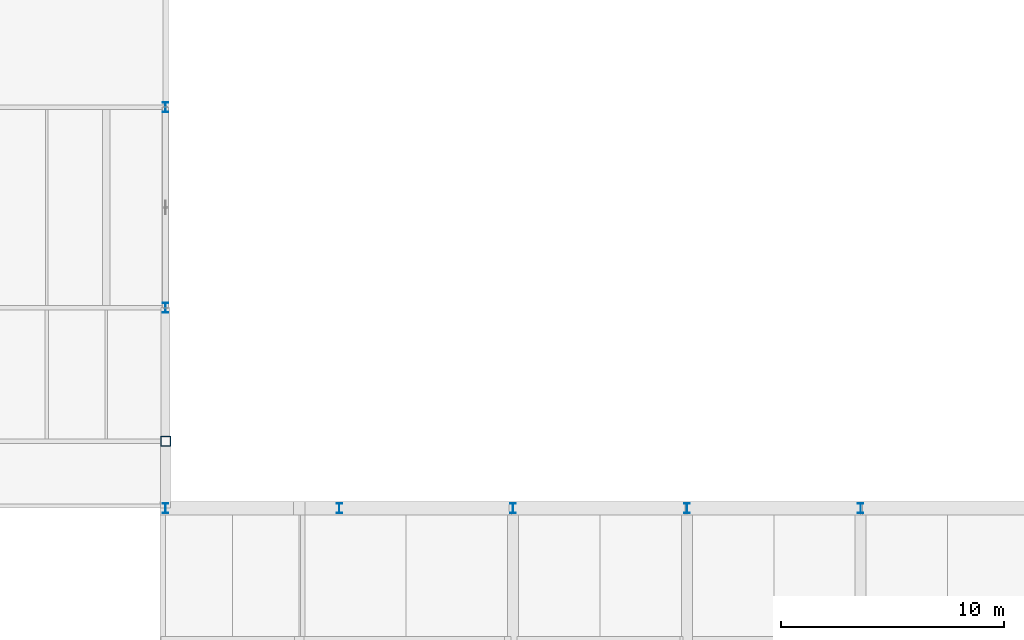
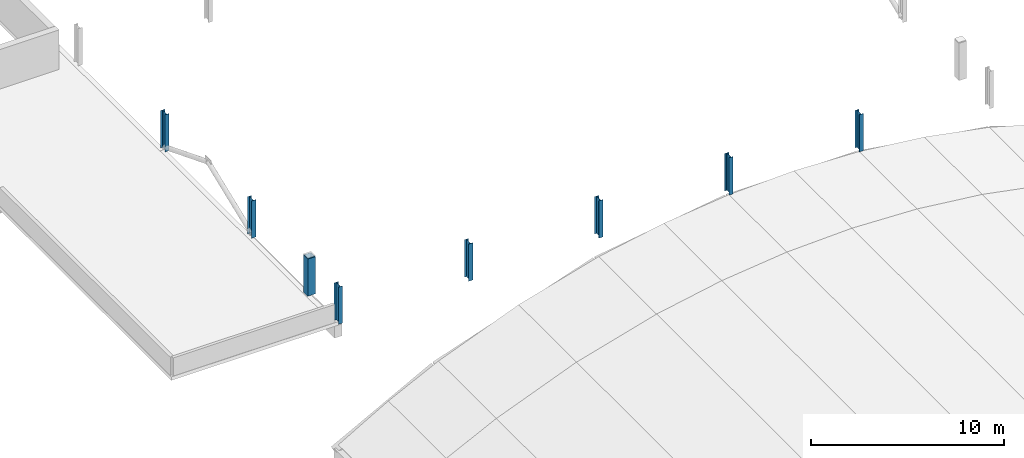
# One storey, part 1 of 12: 8 columns.
"""IFC4 building model written with IfcOpenShell, lengths in metres."""

from ifc_helpers import new_model, si_unit, derived_unit, direction, frame, origin, origin_2d, place, context, subcontext, project, spatial, hollow_rectangle, i_section, extrude, material, material_profile, profile_set, type_object, element, save


model = new_model("IFC4")

# Units and contexts
model_context = context("Model", 3, precision=1e-05, world=origin(), true_north=direction((0.0, 1.0)))
body_context = subcontext(model_context, "Body", "Model", "MODEL_VIEW")
ifc_project = project(units=[si_unit("LENGTHUNIT", "METRE"), si_unit("AREAUNIT", "SQUARE_METRE"), si_unit("VOLUMEUNIT", "CUBIC_METRE"), si_unit("PLANEANGLEUNIT", "RADIAN"), si_unit("MASSUNIT", "GRAM", prefix="KILO"), derived_unit("THERMALTRANSMITTANCEUNIT", [(si_unit("POWERUNIT", "WATT"), 1), (si_unit("LENGTHUNIT", "METRE"), -2), (si_unit("THERMODYNAMICTEMPERATUREUNIT", "KELVIN"), -1)])], contexts=[model_context])

# Site, building, storey
site_placement = place(None, origin())
site = spatial("IfcSite", under=ifc_project, at=site_placement, CompositionType="ELEMENT")
building_placement = place(site_placement, origin())
building = spatial("IfcBuilding", under=site, at=building_placement, Name="Nallur Shell Playhouse", CompositionType="ELEMENT")
storey_placement = place(building_placement, frame((0.0, 0.0, 28.800048828125)))
storey = spatial("IfcBuildingStorey", under=building, at=storey_placement, Name="RF1", CompositionType="ELEMENT", Elevation=28.800048828125)

# Columns
ifc_material = material(Name="Steel E350", Category="steel")
ifc_material_profile_1 = material_profile(ifc_material, hollow_rectangle(XDim=0.449951171875, YDim=0.449951171875, WallThickness=0.02001953125, at=origin_2d()), Name="BOX 450x450x20")
ifc_profile_set_1 = profile_set([ifc_material_profile_1], Name="Steel E350")
column_type_1 = type_object("IfcColumnType", Name="CL-ST-BOX450", PredefinedType="COLUMN", material=ifc_profile_set_1)
column_placement = place(storey_placement, frame((64.0, 50.0, 0.0), z_axis=(0.0, 0.0, 1.0), x_axis=(1.0, 0.0, 0.0)))
element("IfcColumn", 1, at=column_placement, inside=storey, type_object=column_type_1, Name="Column 8-F (RF1)", PredefinedType="COLUMN", context=body_context, shape_type="SweptSolid", body=[
    extrude(hollow_rectangle(XDim=0.449951171875, YDim=0.449951171875, WallThickness=0.02001953125, at=origin_2d()), origin(), (0.0, 0.0, 1.0), 2.35986328125),
])
ifc_material_profile_2 = material_profile(ifc_material, i_section(OverallWidth=0.25, OverallDepth=0.449951171875, WebThickness=0.01123046875, FlangeThickness=0.013671875, FilletRadius=0.014892578125, at=origin_2d()), Name="ISHB 450")
ifc_profile_set_2 = profile_set([ifc_material_profile_2], Name="Steel E350")
column_type_2 = type_object("IfcColumnType", Name="CL-ST-ISHB450", PredefinedType="COLUMN", material=ifc_profile_set_2)
for number, where, z_axis, x_axis, name in (
    (2, (64.0, 56.0, 0.0), (0.0, 0.0, 1.0), (1.0, 0.0, 0.0), "Column 8-G (RF1)"),
    (3, (64.0, 65.0, 0.0), (0.0, 0.0, 1.0), (1.0, 0.0, 0.0), "Column 8-H (RF1)"),
    (4, (64.0, 47.0, 0.0), (0.0, 0.0, 1.0), (1.0, 0.0, 0.0), "Column PROSC-1 (RF1)"),
    (5, (71.800048828125, 47.0, 0.0), (0.0, 0.0, 1.0), (1.0, 0.0, 0.0), "Column PROSC-2 (RF1)"),
    (6, (79.60009765625, 47.0, 0.0), (0.0, 0.0, 1.0), (1.0, 0.0, 0.0), "Column PROSC-3 (RF1)"),
    (7, (87.39990234375, 47.0, 0.0), (0.0, 0.0, 1.0), (1.0, 0.0, 0.0), "Column PROSC-4 (RF1)"),
    (8, (95.199951171875, 47.0, 0.0), (0.0, 0.0, 1.0), (1.0, 0.0, 0.0), "Column PROSC-5 (RF1)"),
):
    element("IfcColumn", number, at=place(storey_placement, frame(where, z_axis=z_axis, x_axis=x_axis)), inside=storey, type_object=column_type_2, Name=name, PredefinedType="COLUMN", context=body_context, shape_type="SweptSolid", body=[
        extrude(i_section(OverallWidth=0.25, OverallDepth=0.449951171875, WebThickness=0.01123046875, FlangeThickness=0.013671875, FilletRadius=0.014892578125, at=origin_2d()), origin(), (0.0, 0.0, 1.0), 2.35986328125),
    ])

save(model, "model.ifc")
